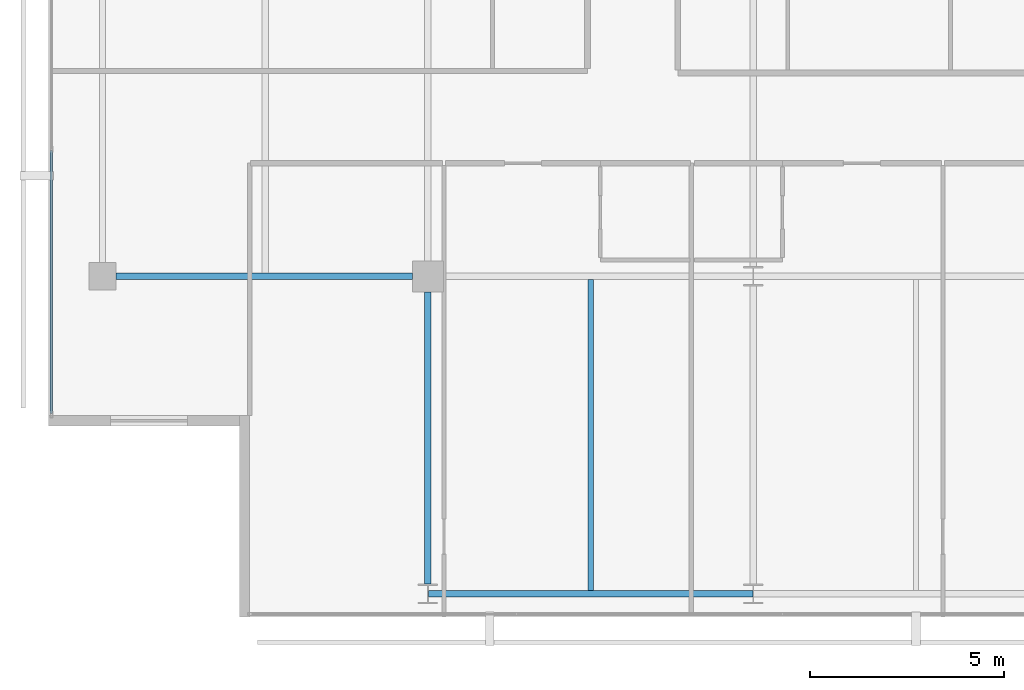
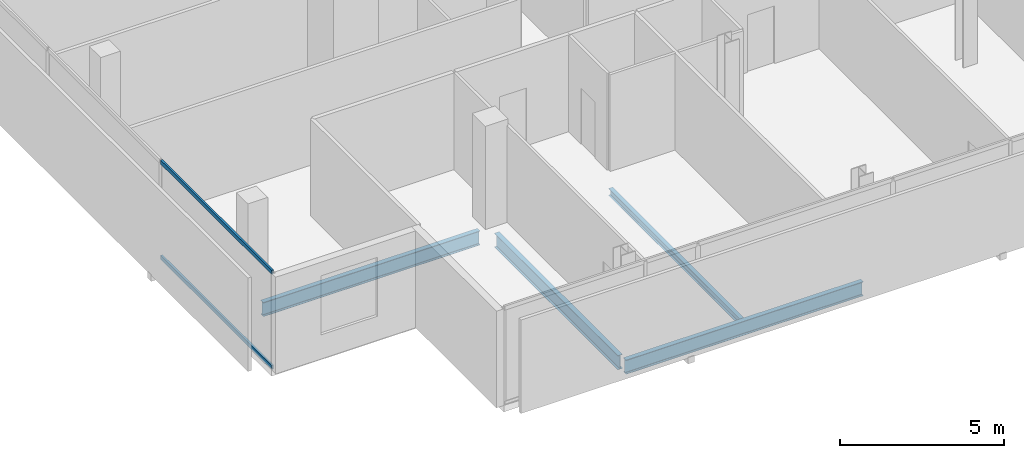
# One storey, part 3 of 25: 4 beams, 2 members, 1 element without a shape of its own.
"""IFC4 building model written with IfcOpenShell, lengths in metres."""

from ifc_helpers import new_model, si_unit, direction, frame, origin, origin_2d, place, context, subcontext, project, spatial, hollow_rectangle, i_section, extrude, material, layer, layer_set, material_profile, profile_set, type_object, element, aggregate, save


model = new_model("IFC4")

# Units and contexts
model_context = context("Model", 3, precision=1e-05, world=origin(), true_north=direction((0.0, 1.0)))
body_context = subcontext(model_context, "Body", "Model", "MODEL_VIEW")
ifc_project = project(units=[si_unit("LENGTHUNIT", "METRE"), si_unit("AREAUNIT", "SQUARE_METRE"), si_unit("VOLUMEUNIT", "CUBIC_METRE"), si_unit("PLANEANGLEUNIT", "RADIAN"), si_unit("MASSUNIT", "GRAM", prefix="KILO")], contexts=[model_context])

# Site, building, storey
site_placement = place(None, origin())
site = spatial("IfcSite", under=ifc_project, at=site_placement, CompositionType="ELEMENT")
building_placement = place(site_placement, origin())
building = spatial("IfcBuilding", under=site, at=building_placement, Name="Maruvema Waterfront Hotel and Observation Tower", CompositionType="ELEMENT")
storey_placement = place(building_placement, frame((0.0, 0.0, 297.14990234375)))
storey = spatial("IfcBuildingStorey", under=building, at=storey_placement, Name="L73", CompositionType="ELEMENT", Elevation=297.14990234375)

# Curtain wall, members
ifc_material_1 = material(Name="Anodised bronze aluminium and solar-control low-E IGU", Category="aluminium")
ifc_layer = layer(ifc_material_1, 0.159912109375, Name="Zone 3 Champagne Inner Thermal Curtain Wall System CW-04")
ifc_layer_set = layer_set([ifc_layer], Name="Anodised bronze aluminium and solar-control low-E IGU")
curtain_wall_type = type_object("IfcCurtainWallType", Name="Zone 3 Champagne Inner Thermal Curtain Wall System CW-04", PredefinedType="USERDEFINED", material=ifc_layer_set)
curtain_wall_placement = place(storey_placement, origin())
curtain_wall = element("IfcCurtainWall", 1, at=curtain_wall_placement, inside=storey, type_object=curtain_wall_type, Name="L73 Curtain Wall CW-L73-W", ObjectType="UNITISED CURTAIN WALL", PredefinedType="USERDEFINED")
ifc_material_2 = material(Name="Anodised architectural bronze aluminium", Category="aluminium")
ifc_material_profile_1 = material_profile(ifc_material_2, hollow_rectangle(XDim=0.070068359375, YDim=0.14990234375, WallThickness=0.00390625, at=origin_2d()), Name="ALU-T70x150")
ifc_profile_set_1 = profile_set([ifc_material_profile_1], Name="Anodised architectural bronze aluminium")
member_type = type_object("IfcMemberType", Name="Curtain Wall Horizontal Transom ALU-T70x150", PredefinedType="USERDEFINED", material=ifc_profile_set_1)
member_1_placement = place(storey_placement, frame((15.47998046875, 21.25, 0.030029296875), z_axis=(0.0, -1.0, 0.0), x_axis=(1.0, 0.0, 0.0)))
member_1 = element("IfcMember", 2, at=member_1_placement, type_object=member_type, Name="CW-04 transom 5.1", ObjectType="TRANSOM", PredefinedType="USERDEFINED", context=body_context, shape_type="SweptSolid", body=[
    extrude(hollow_rectangle(XDim=0.070068359375, YDim=0.14990234375, WallThickness=0.00390625, at=origin_2d()), origin(), (0.0, 0.0, 1.0), 6.7900390625),
])
member_2_placement = place(storey_placement, frame((15.47998046875, 21.25, 3.580078125), z_axis=(0.0, -1.0, 0.0), x_axis=(1.0, 0.0, 0.0)))
member_2 = element("IfcMember", 3, at=member_2_placement, type_object=member_type, Name="CW-04 transom 5.2", ObjectType="TRANSOM", PredefinedType="USERDEFINED", context=body_context, shape_type="SweptSolid", body=[
    extrude(hollow_rectangle(XDim=0.070068359375, YDim=0.14990234375, WallThickness=0.00390625, at=origin_2d()), origin(), (0.0, 0.0, 1.0), 6.7900390625),
])
aggregate(curtain_wall, [member_1, member_2])

# Beams
ifc_material_3 = material(Name="Steel ASTM A572 Grade 50", Category="steel")
ifc_material_profile_2 = material_profile(ifc_material_3, i_section(OverallWidth=0.166015625, OverallDepth=0.529052734375, WebThickness=0.009765625, FlangeThickness=0.013671875, FilletRadius=0.014892578125, at=origin_2d()), Name="W530x74.0")
ifc_profile_set_2 = profile_set([ifc_material_profile_2], Name="Steel ASTM A572 Grade 50")
beam_type_1 = type_object("IfcBeamType", Name="Primary Floor Girder W530x74.0", PredefinedType="BEAM", material=ifc_profile_set_2)
beam_1_placement = place(storey_placement, frame((25.2109375, 9.800048828125, -0.50439453125), z_axis=(1.0, 0.0, 0.0), x_axis=(0.0, 1.0, 0.0)))
element("IfcBeam", 4, at=beam_1_placement, inside=storey, type_object=beam_type_1, Name="L73 Floor Girder EW-01", PredefinedType="BEAM", context=body_context, shape_type="SweptSolid", body=[
    extrude(i_section(OverallWidth=0.166015625, OverallDepth=0.529052734375, WebThickness=0.009765625, FlangeThickness=0.013671875, FilletRadius=0.014892578125, at=origin_2d()), origin(), (0.0, 0.0, 1.0), 8.378173828125),
])
beam_2_placement = place(storey_placement, frame((17.14990234375, 18.0, -0.50439453125), z_axis=(1.0, 0.0, 0.0), x_axis=(0.0, 1.0, 0.0)))
element("IfcBeam", 5, at=beam_2_placement, inside=storey, type_object=beam_type_1, Name="L73 Floor Girder EW-04", PredefinedType="BEAM", context=body_context, shape_type="SweptSolid", body=[
    extrude(i_section(OverallWidth=0.166015625, OverallDepth=0.529052734375, WebThickness=0.009765625, FlangeThickness=0.013671875, FilletRadius=0.014892578125, at=origin_2d()), origin(), (0.0, 0.0, 1.0), 7.650146484375),
])
beam_3_placement = place(storey_placement, frame((25.199951171875, 10.050048828125, -0.50439453125), z_axis=(0.0, 1.0, 0.0), x_axis=(-1.0, 0.0, 0.0)))
element("IfcBeam", 6, at=beam_3_placement, inside=storey, type_object=beam_type_1, Name="L73 Floor Girder NS-04", PredefinedType="BEAM", context=body_context, shape_type="SweptSolid", body=[
    extrude(i_section(OverallWidth=0.166015625, OverallDepth=0.529052734375, WebThickness=0.009765625, FlangeThickness=0.013671875, FilletRadius=0.014892578125, at=origin_2d()), origin(), (0.0, 0.0, 1.0), 7.550048828125),
])
ifc_material_4 = material(Name="Steel ASTM A572 Grade 50", Category="steel")
ifc_material_profile_3 = material_profile(ifc_material_4, i_section(OverallWidth=0.14599609375, OverallDepth=0.258056640625, WebThickness=0.006103515625, FlangeThickness=0.009033203125, FilletRadius=0.012939453125, at=origin_2d()), Name="W250x32.7")
ifc_profile_set_3 = profile_set([ifc_material_profile_3], Name="Steel ASTM A572 Grade 50")
beam_type_2 = type_object("IfcBeamType", Name="Secondary Floor Joist W250x32.7", PredefinedType="JOIST", material=ifc_profile_set_3)
beam_4_placement = place(storey_placement, frame((29.39990234375, 9.883056640625, -0.368896484375), z_axis=(0.0, 1.0, 0.0), x_axis=(-1.0, 0.0, 0.0)))
element("IfcBeam", 7, at=beam_4_placement, inside=storey, type_object=beam_type_2, Name="L73 Secondary Floor Joist JS-04", PredefinedType="JOIST", context=body_context, shape_type="SweptSolid", body=[
    extrude(i_section(OverallWidth=0.14599609375, OverallDepth=0.258056640625, WebThickness=0.006103515625, FlangeThickness=0.009033203125, FilletRadius=0.012939453125, at=origin_2d()), origin(), (0.0, 0.0, 1.0), 8.033935546875),
])

save(model, "model.ifc")
